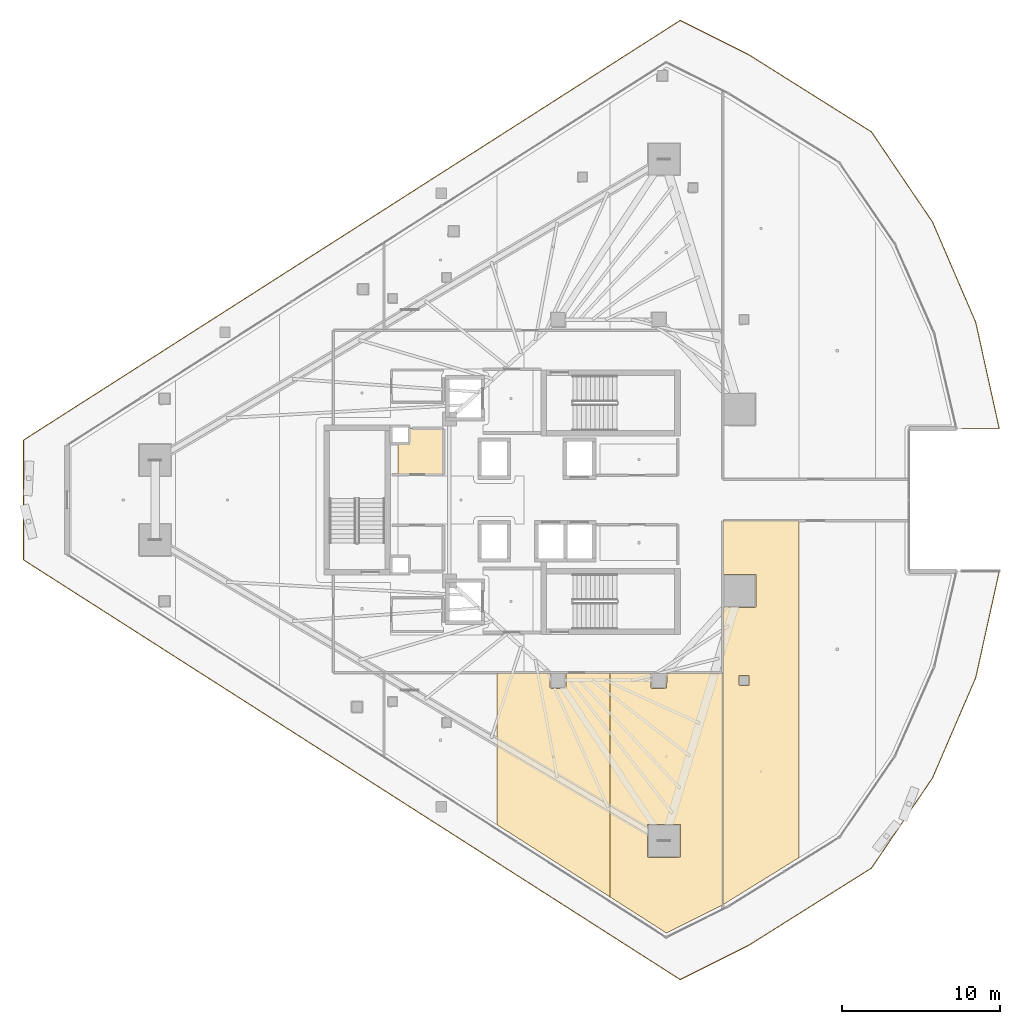
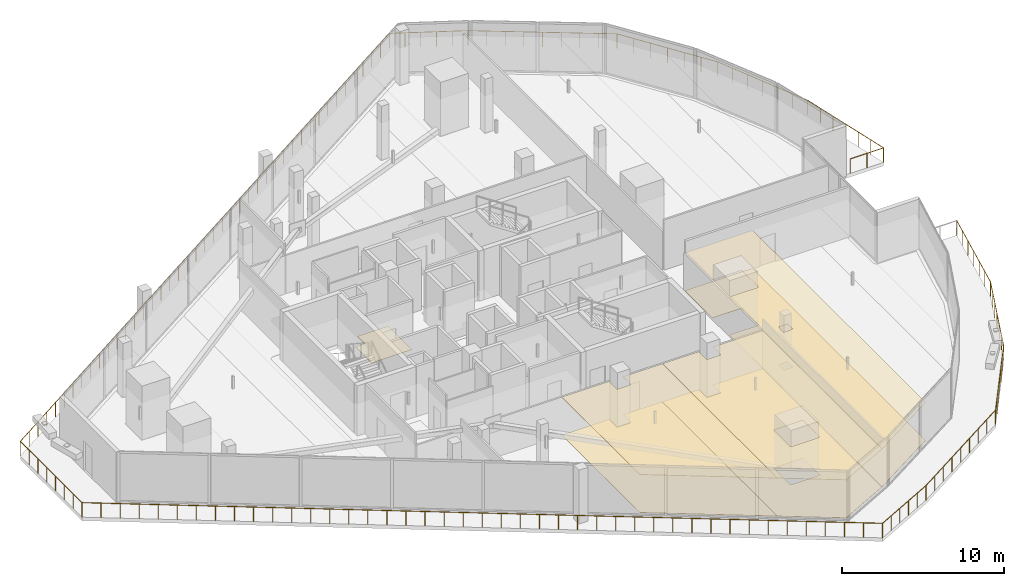
# One storey, part 35 of 39: 7 coverings, 1 railing.
"""IFC4 building model written with IfcOpenShell, lengths in metres."""

import ifcopenshell
import ifcopenshell.guid

model = None  # the IFC model being written
_history = None  # IfcOwnerHistory: only IFC2X3 demands one
_inside = {}  # id of a spatial element -> (the spatial element, [elements in it])
_under = {}  # id of a project, library or spatial element -> (it, [spatial elements below it])
_declared = {}  # id of a project -> (the project, [libraries it declares])
_typed = {}  # id of a type object -> (the type object, [elements of that type])
_made_of = {}  # id of a material, layer set ... -> (it, [elements and type objects made of it])


def new_model(schema):
    """Start an empty IFC model of exactly this schema.

    Asked for "IFC4X3", IfcOpenShell would pick the latest addendum, in which some entities
    have other attributes; the version numbers below select the first issue.
    IFC2X3 requires an IfcOwnerHistory on every rooted entity: one is made here for all.
    """
    global model, _history
    if schema == "IFC4X3":
        model = ifcopenshell.file(schema_version=(4, 3, 0, 0))
    else:
        model = ifcopenshell.file(schema=schema)
    _inside.clear()
    _under.clear()
    _declared.clear()
    _typed.clear()
    _made_of.clear()
    _history = None
    if model.schema == "IFC2X3":
        org = make("IfcOrganization", Name="unknown")
        user = make(
            "IfcPersonAndOrganization",
            ThePerson=make("IfcPerson", FamilyName="unknown"),
            TheOrganization=org,
        )
        app = make(
            "IfcApplication",
            ApplicationDeveloper=org,
            Version="unknown",
            ApplicationFullName="unknown",
            ApplicationIdentifier="unknown",
        )
        _history = make(
            "IfcOwnerHistory",
            OwningUser=user,
            OwningApplication=app,
            ChangeAction="ADDED",
            CreationDate=0,
        )
    return model


def make(cls, **values):
    """One entity of the class cls with the attributes given. An attribute that is None is left unset."""
    return model.create_entity(
        cls, **{name: value for name, value in values.items() if value is not None}
    )


def rooted(cls, **values):
    """An entity with a GlobalId (a new one), such as an element, a storey or a relation."""
    return make(cls, GlobalId=ifcopenshell.guid.new(), OwnerHistory=_history, **values)


def si_unit(unit_type, name, prefix=None):
    """IfcSIUnit, for example si_unit("LENGTHUNIT", "METRE", prefix="MILLI")."""
    return make("IfcSIUnit", UnitType=unit_type, Prefix=prefix, Name=name)


def assignment(units):
    """IfcUnitAssignment: the units of a project."""
    return None if units is None else make("IfcUnitAssignment", Units=units)


def point(xyz):
    """IfcCartesianPoint."""
    return None if xyz is None else make("IfcCartesianPoint", Coordinates=xyz)


def direction(xyz):
    """IfcDirection."""
    return None if xyz is None else make("IfcDirection", DirectionRatios=xyz)


def frame(location, z_axis=None, x_axis=None):
    """IfcAxis2Placement3D, a coordinate frame: its origin and axes. An axis left out is left unset."""
    return make(
        "IfcAxis2Placement3D",
        Location=point(location),
        Axis=direction(z_axis),
        RefDirection=direction(x_axis),
    )


def frame_2d(location, x_axis=None):
    """IfcAxis2Placement2D, a coordinate frame in the plane: its origin and x axis."""
    return make(
        "IfcAxis2Placement2D", Location=point(location), RefDirection=direction(x_axis)
    )


def origin():
    """The frame at (0, 0, 0) with its axes left unset."""
    return frame((0.0, 0.0, 0.0))


def origin_2d():
    """The frame at (0, 0) in the plane with its x axis left unset."""
    return frame_2d((0.0, 0.0))


def place(relative_to, where):
    """IfcLocalPlacement: puts the frame where relative to a parent placement (None: the world)."""
    return make(
        "IfcLocalPlacement", PlacementRelTo=relative_to, RelativePlacement=where
    )


def context(
    kind, dimensions, precision=None, world=None, true_north=None, identifier=None
):
    """IfcGeometricRepresentationContext, for example the 3D "Model" context."""
    return make(
        "IfcGeometricRepresentationContext",
        ContextIdentifier=identifier,
        ContextType=kind,
        CoordinateSpaceDimension=dimensions,
        Precision=precision,
        WorldCoordinateSystem=world,
        TrueNorth=true_north,
    )


def subcontext(parent, identifier, kind, view, scale=None):
    """IfcGeometricRepresentationSubContext, for example "Body" below "Model"."""
    return make(
        "IfcGeometricRepresentationSubContext",
        ContextIdentifier=identifier,
        ContextType=kind,
        ParentContext=parent,
        TargetScale=scale,
        TargetView=view,
    )


def project(units=None, contexts=None):
    """IfcProject with its units and contexts."""
    return rooted(
        "IfcProject",
        Name="project",
        RepresentationContexts=contexts,
        UnitsInContext=assignment(units),
    )


def spatial(cls, under=None, at=None, **own):
    """A site, building, storey or space (cls), placed at a placement, below another one or the project."""
    s = rooted(cls, ObjectPlacement=at, **own)
    if under is not None:
        _under.setdefault(under.id(), (under, []))[1].append(s)
    return s


def polyline(points):
    """IfcPolyline through the points."""
    return make("IfcPolyline", Points=[point(p) for p in points])


def profile(cls, at=None, kind="AREA", **sizes):
    """A parametric profile (cls). Its sizes go by their IFC names, for example OverallWidth=200.0."""
    return make(cls, ProfileType=kind, Position=at, **sizes)


def circle(**sizes):
    """IfcCircleProfileDef."""
    return profile("IfcCircleProfileDef", **sizes)


def outline(outer, holes=None, kind="AREA"):
    """IfcArbitraryClosedProfileDef: a profile drawn as a closed curve; with holes, ...WithVoids."""
    if holes is None:
        return make("IfcArbitraryClosedProfileDef", ProfileType=kind, OuterCurve=outer)
    return make(
        "IfcArbitraryProfileDefWithVoids",
        ProfileType=kind,
        OuterCurve=outer,
        InnerCurves=holes,
    )


def extrude(swept, where, along, depth):
    """IfcExtrudedAreaSolid: the profile swept, set in the frame where, extruded along a direction by depth."""
    return make(
        "IfcExtrudedAreaSolid",
        SweptArea=swept,
        Position=where,
        ExtrudedDirection=direction(along),
        Depth=depth,
    )


def shape(context_of_items, identifier, shape_type, items):
    """IfcShapeRepresentation: the items that make up one representation, for example the "Body"."""
    return make(
        "IfcShapeRepresentation",
        ContextOfItems=context_of_items,
        RepresentationIdentifier=identifier,
        RepresentationType=shape_type,
        Items=items,
    )


def material(Name=None, Category=None):
    """IfcMaterial."""
    return make("IfcMaterial", Name=Name, Category=Category)


def layer(
    of_material, thickness, ventilated=None, Name=None, Category=None, Priority=None
):
    """IfcMaterialLayer: one layer of a wall or slab, of a material (None: an air gap)."""
    return make(
        "IfcMaterialLayer",
        Material=of_material,
        LayerThickness=thickness,
        IsVentilated=ventilated,
        Name=Name,
        Category=Category,
        Priority=Priority,
    )


def layer_set(layers, Name=None):
    """IfcMaterialLayerSet."""
    return make("IfcMaterialLayerSet", MaterialLayers=layers, LayerSetName=Name)


def made_of(thing, what):
    """Note that an element or type object is made of a material, layer set ...; save() writes the relation."""
    if what is not None:
        _made_of.setdefault(what.id(), (what, []))[1].append(thing)
    return thing


def type_object(cls, material=None, **own):
    """A type object (cls), such as IfcWallType, which elements share."""
    return made_of(rooted(cls, **own), material)


def element(
    cls,
    number,
    at=None,
    inside=None,
    cuts=None,
    type_object=None,
    material=None,
    context=None,
    identifier="Body",
    shape_type=None,
    held_by="IfcProductDefinitionShape",
    body=None,
    shapes=None,
    **own,
):
    """One element of the class cls, such as IfcWall. Its Tag is "e" and its number.

    at: its placement. inside: the storey or other place that contains it. cuts: it is an
    opening in that element (IfcRelVoidsElement). A single representation is given by context,
    identifier, shape_type and body (its items); several are given by shapes. held_by: the class
    of the entity that holds the representations. save() writes the other relations.
    """
    e = rooted(cls, Tag="e%d" % number, ObjectPlacement=at, **own)
    if body is not None:
        shapes = [shape(context, identifier, shape_type, body)]
    if shapes is not None:
        e.Representation = make(held_by, Representations=shapes)
    if inside is not None:
        _inside.setdefault(inside.id(), (inside, []))[1].append(e)
    if cuts is not None:
        rooted(
            "IfcRelVoidsElement", RelatingBuildingElement=cuts, RelatedOpeningElement=e
        )
    if type_object is not None:
        _typed.setdefault(type_object.id(), (type_object, []))[1].append(e)
    return made_of(e, material)


def aggregate(whole, parts):
    """IfcRelAggregates: a whole, such as a stair, and the parts it consists of."""
    return rooted("IfcRelAggregates", RelatingObject=whole, RelatedObjects=parts)


def save(model, path):
    """Write the relations noted so far, then the file.

    IfcRelAggregates (storeys below a building ...), IfcRelContainedInSpatialStructure (elements
    in a storey), IfcRelDefinesByType, IfcRelAssociatesMaterial and IfcRelDeclares: one each for
    every whole, place, type object, material and project.
    """
    for whole, parts in _under.values():
        aggregate(whole, parts)
    for where, things in _inside.values():
        rooted(
            "IfcRelContainedInSpatialStructure",
            RelatedElements=things,
            RelatingStructure=where,
        )
    for kind, things in _typed.values():
        rooted("IfcRelDefinesByType", RelatedObjects=things, RelatingType=kind)
    for what, things in _made_of.values():
        rooted("IfcRelAssociatesMaterial", RelatedObjects=things, RelatingMaterial=what)
    for by, libraries in _declared.values():
        rooted("IfcRelDeclares", RelatingContext=by, RelatedDefinitions=libraries)
    model.write(path)


model = new_model("IFC4")

# Units and contexts
model_context = context("Model", 3, precision=1e-05, world=origin(), true_north=direction((0.0, 1.0)))
body_context = subcontext(model_context, "Body", "Model", "MODEL_VIEW")
ifc_project = project(units=[si_unit("LENGTHUNIT", "METRE"), si_unit("AREAUNIT", "SQUARE_METRE"), si_unit("VOLUMEUNIT", "CUBIC_METRE"), si_unit("PLANEANGLEUNIT", "RADIAN"), si_unit("MASSUNIT", "GRAM", prefix="KILO")], contexts=[model_context])

# Site, building, storey
site_placement = place(None, origin())
site = spatial("IfcSite", under=ifc_project, at=site_placement, CompositionType="ELEMENT")
building_placement = place(site_placement, origin())
building = spatial("IfcBuilding", under=site, at=building_placement, Name="Qorvath Tower", CompositionType="ELEMENT")
storey_placement = place(building_placement, frame((0.0, 0.0, 201.0)))
storey = spatial("IfcBuildingStorey", under=building, at=storey_placement, Name="L46", CompositionType="ELEMENT", Elevation=201.0)

# Coverings
ifc_material_1 = material(Name="Acoustic mineral fibre ceiling tile", Category="gypsum")
ifc_layer_1 = layer(ifc_material_1, 0.030029296875)
ifc_layer_set_1 = layer_set([ifc_layer_1], Name="COV-CEIL")
covering_type_1 = type_object("IfcCoveringType", Name="COV-CEIL", PredefinedType="CEILING", material=ifc_layer_set_1)
covering_1_placement = place(storey_placement, frame((0.0, 0.0, 2.85009765625)))
element("IfcCovering", 1, at=covering_1_placement, inside=storey, type_object=covering_type_1, Name="L46 Suspended Acoustic Ceiling 019", PredefinedType="CEILING", context=body_context, shape_type="SweptSolid", body=[
    extrude(outline(polyline([(-24.0947265625, -10.962890625), (-27.476318359375, -10.962890625), (-27.476318359375, -20.6083984375), (-20.315673828125, -25.18505859375), (-20.315673828125, -10.962890625), (-23.105224609375, -10.962890625), (-23.107666015625, -11.9423828125), (-24.050048828125, -11.9599609375), (-24.110107421875, -11.89990234375), (-24.0947265625, -10.962890625)])), origin(), (0.0, 0.0, 1.0), 0.030029296875),
])
covering_2_placement = place(storey_placement, frame((0.0, 0.0, 2.85009765625)))
element("IfcCovering", 2, at=covering_2_placement, inside=storey, type_object=covering_type_1, Name="L46 Suspended Acoustic Ceiling 020", PredefinedType="CEILING", context=body_context, shape_type="SweptSolid", body=[
    extrude(outline(polyline([(-20.315673828125, -10.962890625), (-20.315673828125, -25.18505859375), (-16.7275390625, -27.478271484375), (-13.155029296875, -25.69189453125), (-13.155029296875, -10.962890625), (-16.705322265625, -10.962890625), (-16.70751953125, -11.9423828125), (-17.64990234375, -11.9599609375), (-17.7099609375, -11.89990234375), (-17.694580078125, -10.962890625), (-20.315673828125, -10.962890625)]), holes=[polyline([(-17.931640625, -22.627197265625), (-17.9140625, -20.584716796875), (-15.829345703125, -20.584716796875), (-15.829345703125, -22.66943359375), (-17.87158203125, -22.68701171875), (-17.931640625, -22.627197265625)])]), origin(), (0.0, 0.0, 1.0), 0.030029296875),
])
covering_3_placement = place(storey_placement, frame((0.0, 0.0, 2.85009765625)))
element("IfcCovering", 3, at=covering_3_placement, inside=storey, type_object=covering_type_1, Name="L46 Suspended Acoustic Ceiling 024", PredefinedType="CEILING", context=body_context, shape_type="SweptSolid", body=[
    extrude(outline(polyline([(-8.3037109375, -22.687744140625), (-8.3037109375, -1.31298828125), (-13.136962890625, -1.31298828125), (-13.136962890625, -4.714599609375), (-11.054443359375, -4.715576171875), (-11.036865234375, -6.7578125), (-11.0966796875, -6.81787109375), (-13.136962890625, -6.80126953125), (-13.136962890625, -25.68212890625), (-8.3037109375, -22.687744140625)]), holes=[polyline([(-12.135009765625, -11.72509765625), (-12.117431640625, -11.132568359375), (-11.482666015625, -11.132568359375), (-11.482666015625, -11.767333984375), (-12.074951171875, -11.784912109375), (-12.135009765625, -11.72509765625)])]), origin(), (0.0, 0.0, 1.0), 0.030029296875),
])
ifc_material_2 = material(Name="Low-VOC modular carpet tile", Category="textile")
ifc_layer_2 = layer(ifc_material_2, 0.014892578125)
ifc_layer_set_2 = layer_set([ifc_layer_2], Name="COV-FLOOR-CPT")
covering_type_2 = type_object("IfcCoveringType", Name="COV-FLOOR-CPT", PredefinedType="FLOORING", material=ifc_layer_set_2)
covering_4_placement = place(storey_placement, origin())
element("IfcCovering", 4, at=covering_4_placement, inside=storey, type_object=covering_type_2, Name="L46 Floor Finish 006", PredefinedType="FLOORING", context=body_context, shape_type="SweptSolid", body=[
    extrude(outline(polyline([(-33.760009765625, 3.636962890625), (-33.760009765625, 1.60498046875), (-30.885009765625, 1.60498046875), (-30.885009765625, 4.534912109375), (-33.0869140625, 4.534912109375), (-33.092041015625, 3.636962890625), (-33.760009765625, 3.636962890625)])), origin(), (0.0, 0.0, 1.0), 0.014892578125),
])
covering_5_placement = place(storey_placement, origin())
element("IfcCovering", 5, at=covering_5_placement, inside=storey, type_object=covering_type_2, Name="L46 Floor Finish 019", PredefinedType="FLOORING", context=body_context, shape_type="SweptSolid", body=[
    extrude(outline(polyline([(-24.0947265625, -10.962890625), (-27.476318359375, -10.962890625), (-27.476318359375, -20.6083984375), (-20.315673828125, -25.18505859375), (-20.315673828125, -10.962890625), (-23.105224609375, -10.962890625), (-23.107666015625, -11.9423828125), (-24.050048828125, -11.9599609375), (-24.110107421875, -11.89990234375), (-24.0947265625, -10.962890625)])), origin(), (0.0, 0.0, 1.0), 0.014892578125),
])
covering_6_placement = place(storey_placement, origin())
element("IfcCovering", 6, at=covering_6_placement, inside=storey, type_object=covering_type_2, Name="L46 Floor Finish 020", PredefinedType="FLOORING", context=body_context, shape_type="SweptSolid", body=[
    extrude(outline(polyline([(-20.315673828125, -10.962890625), (-20.315673828125, -25.18505859375), (-16.7275390625, -27.478271484375), (-13.155029296875, -25.69189453125), (-13.155029296875, -10.962890625), (-16.705322265625, -10.962890625), (-16.70751953125, -11.9423828125), (-17.64990234375, -11.9599609375), (-17.7099609375, -11.89990234375), (-17.694580078125, -10.962890625), (-20.315673828125, -10.962890625)]), holes=[polyline([(-17.931640625, -22.627197265625), (-17.9140625, -20.584716796875), (-15.829345703125, -20.584716796875), (-15.829345703125, -22.66943359375), (-17.87158203125, -22.68701171875), (-17.931640625, -22.627197265625)])]), origin(), (0.0, 0.0, 1.0), 0.014892578125),
])
covering_7_placement = place(storey_placement, origin())
element("IfcCovering", 7, at=covering_7_placement, inside=storey, type_object=covering_type_2, Name="L46 Floor Finish 024", PredefinedType="FLOORING", context=body_context, shape_type="SweptSolid", body=[
    extrude(outline(polyline([(-8.3037109375, -22.687744140625), (-8.3037109375, -1.31298828125), (-13.136962890625, -1.31298828125), (-13.136962890625, -4.714599609375), (-11.054443359375, -4.715576171875), (-11.036865234375, -6.7578125), (-11.0966796875, -6.81787109375), (-13.136962890625, -6.80126953125), (-13.136962890625, -25.68212890625), (-8.3037109375, -22.687744140625)]), holes=[polyline([(-12.135009765625, -11.72509765625), (-12.117431640625, -11.132568359375), (-11.482666015625, -11.132568359375), (-11.482666015625, -11.767333984375), (-12.074951171875, -11.784912109375), (-12.135009765625, -11.72509765625)])]), origin(), (0.0, 0.0, 1.0), 0.014892578125),
])

# Railing
ifc_material_3 = material(Name="Laminated safety glass and stainless steel AISI 316", Category="steel")
railing_type = type_object("IfcRailingType", Name="RL-EXT-GRD", PredefinedType="GUARDRAIL", material=ifc_material_3)
railing_placement = place(storey_placement, frame((4.400390625, -4.519775390625, 0.0)))
element("IfcRailing", 8, at=railing_placement, inside=storey, type_object=railing_type, Name="Loggia Perimeter Guardrail L46-1.1", PredefinedType="GUARDRAIL", context=body_context, shape_type="SweptSolid", body=[
    extrude(circle(Radius=0.02392578125, at=origin_2d()), frame((0.0, 0.0, 1.09619140625), z_axis=(-0.216086299344, -0.976374268012, 0.0), x_axis=(0.976374268012, -0.216086299344, 0.0)), (0.0, 0.0, 1.0), 6.92138671875),
    extrude(circle(Radius=0.02392578125, at=origin_2d()), frame((-1.49560546875, -6.7578125, 1.09619140625), z_axis=(-0.395493893873, -0.918468605838, 0.0), x_axis=(0.918468605838, -0.395493893873, 0.0)), (0.0, 0.0, 1.0), 6.921142578125),
    extrude(circle(Radius=0.02392578125, at=origin_2d()), frame((-4.23291015625, -13.11474609375, 1.09619140625), z_axis=(-0.560814607135, -0.827941408811, 0.0), x_axis=(0.827941408811, -0.560814607135, 0.0)), (0.0, 0.0, 1.0), 6.92138671875),
    extrude(circle(Radius=0.02392578125, at=origin_2d()), frame((-8.114501953125, -18.84521484375, 1.09619140625), z_axis=(-0.846504714784, -0.53238122417, 0.0), x_axis=(0.53238122417, -0.846504714784, 0.0)), (0.0, 0.0, 1.0), 9.203857421875),
    extrude(circle(Radius=0.02392578125, at=origin_2d()), frame((-15.905517578125, -23.7451171875, 1.09619140625), z_axis=(-0.89441714735, -0.447233682236, 0.0), x_axis=(0.447233682236, -0.89441714735, 0.0)), (0.0, 0.0, 1.0), 4.86181640625),
    extrude(circle(Radius=0.02392578125, at=origin_2d()), frame((-20.25390625, -25.91943359375, 1.09619140625), z_axis=(-0.84260492013, 0.538532216839, 0.0), x_axis=(-0.538532216839, -0.84260492013, 0.0)), (0.0, 0.0, 1.0), 49.457275390625),
    extrude(circle(Radius=0.02392578125, at=origin_2d()), frame((-61.9267578125, 0.71484375, 1.09619140625), z_axis=(0.0, 1.0, 0.0), x_axis=(-1.0, 0.0, 0.0)), (0.0, 0.0, 1.0), 7.60986328125),
    extrude(circle(Radius=0.02392578125, at=origin_2d()), frame((-61.9267578125, 8.32470703125, 1.09619140625), z_axis=(0.84260492013, 0.538532216839, 0.0), x_axis=(-0.538532216839, 0.84260492013, 0.0)), (0.0, 0.0, 1.0), 49.457275390625),
    extrude(circle(Radius=0.02392578125, at=origin_2d()), frame((-20.25390625, 34.958984375, 1.09619140625), z_axis=(0.89441714735, -0.447233682236, 0.0), x_axis=(0.447233682236, 0.89441714735, 0.0)), (0.0, 0.0, 1.0), 4.86181640625),
    extrude(circle(Radius=0.02392578125, at=origin_2d()), frame((-15.905517578125, 32.78466796875, 1.09619140625), z_axis=(0.846504714784, -0.53238122417, 0.0), x_axis=(0.53238122417, 0.846504714784, 0.0)), (0.0, 0.0, 1.0), 9.203857421875),
    extrude(circle(Radius=0.02392578125, at=origin_2d()), frame((-8.114501953125, 27.884765625, 1.09619140625), z_axis=(0.560814607135, -0.827941408811, 0.0), x_axis=(0.827941408811, 0.560814607135, 0.0)), (0.0, 0.0, 1.0), 6.92138671875),
    extrude(circle(Radius=0.02392578125, at=origin_2d()), frame((-4.23291015625, 22.154296875, 1.09619140625), z_axis=(0.395493893873, -0.918468605838, 0.0), x_axis=(0.918468605838, 0.395493893873, 0.0)), (0.0, 0.0, 1.0), 6.921142578125),
    extrude(circle(Radius=0.02392578125, at=origin_2d()), frame((-1.49560546875, 15.79736328125, 1.09619140625), z_axis=(0.216086299344, -0.976374268012, 0.0), x_axis=(0.976374268012, 0.216086299344, 0.0)), (0.0, 0.0, 1.0), 6.92138671875),
    extrude(circle(Radius=0.02392578125, at=origin_2d()), frame((0.0, 9.03955078125, 1.09619140625), z_axis=(-1.0, 0.0, 0.0), x_axis=(0.0, -1.0, 0.0)), (0.0, 0.0, 1.0), 2.36669921875),
    extrude(circle(Radius=0.02099609375, at=origin_2d()), origin(), (0.0, 0.0, 1.0), 1.072021484375),
    extrude(circle(Radius=0.02099609375, at=origin_2d()), frame((-0.249267578125, -1.126220703125, 0.0)), (0.0, 0.0, 1.0), 1.072021484375),
    extrude(circle(Radius=0.02099609375, at=origin_2d()), frame((-0.49853515625, -2.252685546875, 0.0)), (0.0, 0.0, 1.0), 1.072021484375),
    extrude(circle(Radius=0.02099609375, at=origin_2d()), frame((-0.747802734375, -3.37890625, 0.0)), (0.0, 0.0, 1.0), 1.072021484375),
    extrude(circle(Radius=0.02099609375, at=origin_2d()), frame((-0.9970703125, -4.505126953125, 0.0)), (0.0, 0.0, 1.0), 1.072021484375),
    extrude(circle(Radius=0.02099609375, at=origin_2d()), frame((-1.246337890625, -5.631591796875, 0.0)), (0.0, 0.0, 1.0), 1.072021484375),
    extrude(circle(Radius=0.02099609375, at=origin_2d()), frame((-1.49560546875, -6.7578125, 0.0)), (0.0, 0.0, 1.0), 1.072021484375),
    extrude(circle(Radius=0.02099609375, at=origin_2d()), frame((-1.951904296875, -7.8173828125, 0.0)), (0.0, 0.0, 1.0), 1.072021484375),
    extrude(circle(Radius=0.02099609375, at=origin_2d()), frame((-2.407958984375, -8.876708984375, 0.0)), (0.0, 0.0, 1.0), 1.072021484375),
    extrude(circle(Radius=0.02099609375, at=origin_2d()), frame((-2.8642578125, -9.936279296875, 0.0)), (0.0, 0.0, 1.0), 1.072021484375),
    extrude(circle(Radius=0.02099609375, at=origin_2d()), frame((-3.320556640625, -10.995849609375, 0.0)), (0.0, 0.0, 1.0), 1.072021484375),
    extrude(circle(Radius=0.02099609375, at=origin_2d()), frame((-3.776611328125, -12.05517578125, 0.0)), (0.0, 0.0, 1.0), 1.072021484375),
    extrude(circle(Radius=0.02099609375, at=origin_2d()), frame((-4.23291015625, -13.11474609375, 0.0)), (0.0, 0.0, 1.0), 1.072021484375),
    extrude(circle(Radius=0.02099609375, at=origin_2d()), frame((-4.8798828125, -14.06982421875, 0.0)), (0.0, 0.0, 1.0), 1.072021484375),
    extrude(circle(Radius=0.02099609375, at=origin_2d()), frame((-5.52685546875, -15.02490234375, 0.0)), (0.0, 0.0, 1.0), 1.072021484375),
    extrude(circle(Radius=0.02099609375, at=origin_2d()), frame((-6.173828125, -15.97998046875, 0.0)), (0.0, 0.0, 1.0), 1.072021484375),
    extrude(circle(Radius=0.02099609375, at=origin_2d()), frame((-6.820556640625, -16.93505859375, 0.0)), (0.0, 0.0, 1.0), 1.072021484375),
    extrude(circle(Radius=0.02099609375, at=origin_2d()), frame((-7.467529296875, -17.89013671875, 0.0)), (0.0, 0.0, 1.0), 1.072021484375),
    extrude(circle(Radius=0.02099609375, at=origin_2d()), frame((-8.114501953125, -18.84521484375, 0.0)), (0.0, 0.0, 1.0), 1.072021484375),
    extrude(circle(Radius=0.02099609375, at=origin_2d()), frame((-9.08837890625, -19.457763671875, 0.0)), (0.0, 0.0, 1.0), 1.072021484375),
    extrude(circle(Radius=0.02099609375, at=origin_2d()), frame((-10.062255859375, -20.0703125, 0.0)), (0.0, 0.0, 1.0), 1.072021484375),
    extrude(circle(Radius=0.02099609375, at=origin_2d()), frame((-11.0361328125, -20.6826171875, 0.0)), (0.0, 0.0, 1.0), 1.072021484375),
    extrude(circle(Radius=0.02099609375, at=origin_2d()), frame((-12.010009765625, -21.295166015625, 0.0)), (0.0, 0.0, 1.0), 1.072021484375),
    extrude(circle(Radius=0.02099609375, at=origin_2d()), frame((-12.98388671875, -21.90771484375, 0.0)), (0.0, 0.0, 1.0), 1.072021484375),
    extrude(circle(Radius=0.02099609375, at=origin_2d()), frame((-13.957763671875, -22.52001953125, 0.0)), (0.0, 0.0, 1.0), 1.072021484375),
    extrude(circle(Radius=0.02099609375, at=origin_2d()), frame((-14.931640625, -23.132568359375, 0.0)), (0.0, 0.0, 1.0), 1.072021484375),
    extrude(circle(Radius=0.02099609375, at=origin_2d()), frame((-15.905517578125, -23.7451171875, 0.0)), (0.0, 0.0, 1.0), 1.072021484375),
    extrude(circle(Radius=0.02099609375, at=origin_2d()), frame((-16.775146484375, -24.179931640625, 0.0)), (0.0, 0.0, 1.0), 1.072021484375),
    extrude(circle(Radius=0.02099609375, at=origin_2d()), frame((-17.644775390625, -24.61474609375, 0.0)), (0.0, 0.0, 1.0), 1.072021484375),
    extrude(circle(Radius=0.02099609375, at=origin_2d()), frame((-18.5146484375, -25.0498046875, 0.0)), (0.0, 0.0, 1.0), 1.072021484375),
    extrude(circle(Radius=0.02099609375, at=origin_2d()), frame((-19.38427734375, -25.484619140625, 0.0)), (0.0, 0.0, 1.0), 1.072021484375),
    extrude(circle(Radius=0.02099609375, at=origin_2d()), frame((-20.25390625, -25.91943359375, 0.0)), (0.0, 0.0, 1.0), 1.072021484375),
    extrude(circle(Radius=0.02099609375, at=origin_2d()), frame((-21.24609375, -25.285400390625, 0.0)), (0.0, 0.0, 1.0), 1.072021484375),
    extrude(circle(Radius=0.02099609375, at=origin_2d()), frame((-22.23828125, -24.651123046875, 0.0)), (0.0, 0.0, 1.0), 1.072021484375),
    extrude(circle(Radius=0.02099609375, at=origin_2d()), frame((-23.23046875, -24.01708984375, 0.0)), (0.0, 0.0, 1.0), 1.072021484375),
    extrude(circle(Radius=0.02099609375, at=origin_2d()), frame((-24.22265625, -23.3828125, 0.0)), (0.0, 0.0, 1.0), 1.072021484375),
    extrude(circle(Radius=0.02099609375, at=origin_2d()), frame((-25.21484375, -22.748779296875, 0.0)), (0.0, 0.0, 1.0), 1.072021484375),
    extrude(circle(Radius=0.02099609375, at=origin_2d()), frame((-26.207275390625, -22.114501953125, 0.0)), (0.0, 0.0, 1.0), 1.072021484375),
    extrude(circle(Radius=0.02099609375, at=origin_2d()), frame((-27.199462890625, -21.48046875, 0.0)), (0.0, 0.0, 1.0), 1.072021484375),
    extrude(circle(Radius=0.02099609375, at=origin_2d()), frame((-28.191650390625, -20.84619140625, 0.0)), (0.0, 0.0, 1.0), 1.072021484375),
    extrude(circle(Radius=0.02099609375, at=origin_2d()), frame((-29.183837890625, -20.212158203125, 0.0)), (0.0, 0.0, 1.0), 1.072021484375),
    extrude(circle(Radius=0.02099609375, at=origin_2d()), frame((-30.176025390625, -19.577880859375, 0.0)), (0.0, 0.0, 1.0), 1.072021484375),
    extrude(circle(Radius=0.02099609375, at=origin_2d()), frame((-31.168212890625, -18.94384765625, 0.0)), (0.0, 0.0, 1.0), 1.072021484375),
    extrude(circle(Radius=0.02099609375, at=origin_2d()), frame((-32.160400390625, -18.3095703125, 0.0)), (0.0, 0.0, 1.0), 1.072021484375),
    extrude(circle(Radius=0.02099609375, at=origin_2d()), frame((-33.152587890625, -17.675537109375, 0.0)), (0.0, 0.0, 1.0), 1.072021484375),
    extrude(circle(Radius=0.02099609375, at=origin_2d()), frame((-34.144775390625, -17.041259765625, 0.0)), (0.0, 0.0, 1.0), 1.072021484375),
    extrude(circle(Radius=0.02099609375, at=origin_2d()), frame((-35.136962890625, -16.4072265625, 0.0)), (0.0, 0.0, 1.0), 1.072021484375),
    extrude(circle(Radius=0.02099609375, at=origin_2d()), frame((-36.12939453125, -15.77294921875, 0.0)), (0.0, 0.0, 1.0), 1.072021484375),
    extrude(circle(Radius=0.02099609375, at=origin_2d()), frame((-37.12158203125, -15.138916015625, 0.0)), (0.0, 0.0, 1.0), 1.072021484375),
    extrude(circle(Radius=0.02099609375, at=origin_2d()), frame((-38.11376953125, -14.504638671875, 0.0)), (0.0, 0.0, 1.0), 1.072021484375),
    extrude(circle(Radius=0.02099609375, at=origin_2d()), frame((-39.10595703125, -13.87060546875, 0.0)), (0.0, 0.0, 1.0), 1.072021484375),
    extrude(circle(Radius=0.02099609375, at=origin_2d()), frame((-40.09814453125, -13.236328125, 0.0)), (0.0, 0.0, 1.0), 1.072021484375),
    extrude(circle(Radius=0.02099609375, at=origin_2d()), frame((-41.09033203125, -12.602294921875, 0.0)), (0.0, 0.0, 1.0), 1.072021484375),
    extrude(circle(Radius=0.02099609375, at=origin_2d()), frame((-42.08251953125, -11.96826171875, 0.0)), (0.0, 0.0, 1.0), 1.072021484375),
    extrude(circle(Radius=0.02099609375, at=origin_2d()), frame((-43.07470703125, -11.333984375, 0.0)), (0.0, 0.0, 1.0), 1.072021484375),
    extrude(circle(Radius=0.02099609375, at=origin_2d()), frame((-44.06689453125, -10.699951171875, 0.0)), (0.0, 0.0, 1.0), 1.072021484375),
    extrude(circle(Radius=0.02099609375, at=origin_2d()), frame((-45.05908203125, -10.065673828125, 0.0)), (0.0, 0.0, 1.0), 1.072021484375),
    extrude(circle(Radius=0.02099609375, at=origin_2d()), frame((-46.05126953125, -9.431640625, 0.0)), (0.0, 0.0, 1.0), 1.072021484375),
    extrude(circle(Radius=0.02099609375, at=origin_2d()), frame((-47.043701171875, -8.79736328125, 0.0)), (0.0, 0.0, 1.0), 1.072021484375),
    extrude(circle(Radius=0.02099609375, at=origin_2d()), frame((-48.035888671875, -8.163330078125, 0.0)), (0.0, 0.0, 1.0), 1.072021484375),
    extrude(circle(Radius=0.02099609375, at=origin_2d()), frame((-49.028076171875, -7.529052734375, 0.0)), (0.0, 0.0, 1.0), 1.072021484375),
    extrude(circle(Radius=0.02099609375, at=origin_2d()), frame((-50.020263671875, -6.89501953125, 0.0)), (0.0, 0.0, 1.0), 1.072021484375),
    extrude(circle(Radius=0.02099609375, at=origin_2d()), frame((-51.012451171875, -6.2607421875, 0.0)), (0.0, 0.0, 1.0), 1.072021484375),
    extrude(circle(Radius=0.02099609375, at=origin_2d()), frame((-52.004638671875, -5.626708984375, 0.0)), (0.0, 0.0, 1.0), 1.072021484375),
    extrude(circle(Radius=0.02099609375, at=origin_2d()), frame((-52.996826171875, -4.992431640625, 0.0)), (0.0, 0.0, 1.0), 1.072021484375),
    extrude(circle(Radius=0.02099609375, at=origin_2d()), frame((-53.989013671875, -4.3583984375, 0.0)), (0.0, 0.0, 1.0), 1.072021484375),
    extrude(circle(Radius=0.02099609375, at=origin_2d()), frame((-54.981201171875, -3.72412109375, 0.0)), (0.0, 0.0, 1.0), 1.072021484375),
    extrude(circle(Radius=0.02099609375, at=origin_2d()), frame((-55.973388671875, -3.090087890625, 0.0)), (0.0, 0.0, 1.0), 1.072021484375),
    extrude(circle(Radius=0.02099609375, at=origin_2d()), frame((-56.9658203125, -2.455810546875, 0.0)), (0.0, 0.0, 1.0), 1.072021484375),
    extrude(circle(Radius=0.02099609375, at=origin_2d()), frame((-57.9580078125, -1.82177734375, 0.0)), (0.0, 0.0, 1.0), 1.072021484375),
    extrude(circle(Radius=0.02099609375, at=origin_2d()), frame((-58.9501953125, -1.1875, 0.0)), (0.0, 0.0, 1.0), 1.072021484375),
    extrude(circle(Radius=0.02099609375, at=origin_2d()), frame((-59.9423828125, -0.553466796875, 0.0)), (0.0, 0.0, 1.0), 1.072021484375),
    extrude(circle(Radius=0.02099609375, at=origin_2d()), frame((-60.9345703125, 0.080810546875, 0.0)), (0.0, 0.0, 1.0), 1.072021484375),
    extrude(circle(Radius=0.02099609375, at=origin_2d()), frame((-61.9267578125, 0.71484375, 0.0)), (0.0, 0.0, 1.0), 1.072021484375),
    extrude(circle(Radius=0.02099609375, at=origin_2d()), frame((-61.9267578125, 1.802001953125, 0.0)), (0.0, 0.0, 1.0), 1.072021484375),
    extrude(circle(Radius=0.02099609375, at=origin_2d()), frame((-61.9267578125, 2.88916015625, 0.0)), (0.0, 0.0, 1.0), 1.072021484375),
    extrude(circle(Radius=0.02099609375, at=origin_2d()), frame((-61.9267578125, 3.976318359375, 0.0)), (0.0, 0.0, 1.0), 1.072021484375),
    extrude(circle(Radius=0.02099609375, at=origin_2d()), frame((-61.9267578125, 5.063232421875, 0.0)), (0.0, 0.0, 1.0), 1.072021484375),
    extrude(circle(Radius=0.02099609375, at=origin_2d()), frame((-61.9267578125, 6.150390625, 0.0)), (0.0, 0.0, 1.0), 1.072021484375),
    extrude(circle(Radius=0.02099609375, at=origin_2d()), frame((-61.9267578125, 7.237548828125, 0.0)), (0.0, 0.0, 1.0), 1.072021484375),
    extrude(circle(Radius=0.02099609375, at=origin_2d()), frame((-61.9267578125, 8.32470703125, 0.0)), (0.0, 0.0, 1.0), 1.072021484375),
    extrude(circle(Radius=0.02099609375, at=origin_2d()), frame((-60.9345703125, 8.958740234375, 0.0)), (0.0, 0.0, 1.0), 1.072021484375),
    extrude(circle(Radius=0.02099609375, at=origin_2d()), frame((-59.9423828125, 9.593017578125, 0.0)), (0.0, 0.0, 1.0), 1.072021484375),
    extrude(circle(Radius=0.02099609375, at=origin_2d()), frame((-58.9501953125, 10.22705078125, 0.0)), (0.0, 0.0, 1.0), 1.072021484375),
    extrude(circle(Radius=0.02099609375, at=origin_2d()), frame((-57.9580078125, 10.861328125, 0.0)), (0.0, 0.0, 1.0), 1.072021484375),
    extrude(circle(Radius=0.02099609375, at=origin_2d()), frame((-56.9658203125, 11.495361328125, 0.0)), (0.0, 0.0, 1.0), 1.072021484375),
    extrude(circle(Radius=0.02099609375, at=origin_2d()), frame((-55.973388671875, 12.129638671875, 0.0)), (0.0, 0.0, 1.0), 1.072021484375),
    extrude(circle(Radius=0.02099609375, at=origin_2d()), frame((-54.981201171875, 12.763671875, 0.0)), (0.0, 0.0, 1.0), 1.072021484375),
    extrude(circle(Radius=0.02099609375, at=origin_2d()), frame((-53.989013671875, 13.39794921875, 0.0)), (0.0, 0.0, 1.0), 1.072021484375),
    extrude(circle(Radius=0.02099609375, at=origin_2d()), frame((-52.996826171875, 14.031982421875, 0.0)), (0.0, 0.0, 1.0), 1.072021484375),
    extrude(circle(Radius=0.02099609375, at=origin_2d()), frame((-52.004638671875, 14.666259765625, 0.0)), (0.0, 0.0, 1.0), 1.072021484375),
    extrude(circle(Radius=0.02099609375, at=origin_2d()), frame((-51.012451171875, 15.30029296875, 0.0)), (0.0, 0.0, 1.0), 1.072021484375),
    extrude(circle(Radius=0.02099609375, at=origin_2d()), frame((-50.020263671875, 15.9345703125, 0.0)), (0.0, 0.0, 1.0), 1.072021484375),
    extrude(circle(Radius=0.02099609375, at=origin_2d()), frame((-49.028076171875, 16.568603515625, 0.0)), (0.0, 0.0, 1.0), 1.072021484375),
    extrude(circle(Radius=0.02099609375, at=origin_2d()), frame((-48.035888671875, 17.202880859375, 0.0)), (0.0, 0.0, 1.0), 1.072021484375),
    extrude(circle(Radius=0.02099609375, at=origin_2d()), frame((-47.043701171875, 17.8369140625, 0.0)), (0.0, 0.0, 1.0), 1.072021484375),
    extrude(circle(Radius=0.02099609375, at=origin_2d()), frame((-46.05126953125, 18.47119140625, 0.0)), (0.0, 0.0, 1.0), 1.072021484375),
    extrude(circle(Radius=0.02099609375, at=origin_2d()), frame((-45.05908203125, 19.105224609375, 0.0)), (0.0, 0.0, 1.0), 1.072021484375),
    extrude(circle(Radius=0.02099609375, at=origin_2d()), frame((-44.06689453125, 19.739501953125, 0.0)), (0.0, 0.0, 1.0), 1.072021484375),
    extrude(circle(Radius=0.02099609375, at=origin_2d()), frame((-43.07470703125, 20.37353515625, 0.0)), (0.0, 0.0, 1.0), 1.072021484375),
    extrude(circle(Radius=0.02099609375, at=origin_2d()), frame((-42.08251953125, 21.0078125, 0.0)), (0.0, 0.0, 1.0), 1.072021484375),
    extrude(circle(Radius=0.02099609375, at=origin_2d()), frame((-41.09033203125, 21.641845703125, 0.0)), (0.0, 0.0, 1.0), 1.072021484375),
    extrude(circle(Radius=0.02099609375, at=origin_2d()), frame((-40.09814453125, 22.27587890625, 0.0)), (0.0, 0.0, 1.0), 1.072021484375),
    extrude(circle(Radius=0.02099609375, at=origin_2d()), frame((-39.10595703125, 22.91015625, 0.0)), (0.0, 0.0, 1.0), 1.072021484375),
    extrude(circle(Radius=0.02099609375, at=origin_2d()), frame((-38.11376953125, 23.544189453125, 0.0)), (0.0, 0.0, 1.0), 1.072021484375),
    extrude(circle(Radius=0.02099609375, at=origin_2d()), frame((-37.12158203125, 24.178466796875, 0.0)), (0.0, 0.0, 1.0), 1.072021484375),
    extrude(circle(Radius=0.02099609375, at=origin_2d()), frame((-36.12939453125, 24.8125, 0.0)), (0.0, 0.0, 1.0), 1.072021484375),
    extrude(circle(Radius=0.02099609375, at=origin_2d()), frame((-35.136962890625, 25.44677734375, 0.0)), (0.0, 0.0, 1.0), 1.072021484375),
    extrude(circle(Radius=0.02099609375, at=origin_2d()), frame((-34.144775390625, 26.080810546875, 0.0)), (0.0, 0.0, 1.0), 1.072021484375),
    extrude(circle(Radius=0.02099609375, at=origin_2d()), frame((-33.152587890625, 26.715087890625, 0.0)), (0.0, 0.0, 1.0), 1.072021484375),
    extrude(circle(Radius=0.02099609375, at=origin_2d()), frame((-32.160400390625, 27.34912109375, 0.0)), (0.0, 0.0, 1.0), 1.072021484375),
    extrude(circle(Radius=0.02099609375, at=origin_2d()), frame((-31.168212890625, 27.9833984375, 0.0)), (0.0, 0.0, 1.0), 1.072021484375),
    extrude(circle(Radius=0.02099609375, at=origin_2d()), frame((-30.176025390625, 28.617431640625, 0.0)), (0.0, 0.0, 1.0), 1.072021484375),
    extrude(circle(Radius=0.02099609375, at=origin_2d()), frame((-29.183837890625, 29.251708984375, 0.0)), (0.0, 0.0, 1.0), 1.072021484375),
    extrude(circle(Radius=0.02099609375, at=origin_2d()), frame((-28.191650390625, 29.8857421875, 0.0)), (0.0, 0.0, 1.0), 1.072021484375),
    extrude(circle(Radius=0.02099609375, at=origin_2d()), frame((-27.199462890625, 30.52001953125, 0.0)), (0.0, 0.0, 1.0), 1.072021484375),
    extrude(circle(Radius=0.02099609375, at=origin_2d()), frame((-26.207275390625, 31.154052734375, 0.0)), (0.0, 0.0, 1.0), 1.072021484375),
    extrude(circle(Radius=0.02099609375, at=origin_2d()), frame((-25.21484375, 31.788330078125, 0.0)), (0.0, 0.0, 1.0), 1.072021484375),
    extrude(circle(Radius=0.02099609375, at=origin_2d()), frame((-24.22265625, 32.42236328125, 0.0)), (0.0, 0.0, 1.0), 1.072021484375),
    extrude(circle(Radius=0.02099609375, at=origin_2d()), frame((-23.23046875, 33.056640625, 0.0)), (0.0, 0.0, 1.0), 1.072021484375),
    extrude(circle(Radius=0.02099609375, at=origin_2d()), frame((-22.23828125, 33.690673828125, 0.0)), (0.0, 0.0, 1.0), 1.072021484375),
    extrude(circle(Radius=0.02099609375, at=origin_2d()), frame((-21.24609375, 34.324951171875, 0.0)), (0.0, 0.0, 1.0), 1.072021484375),
    extrude(circle(Radius=0.02099609375, at=origin_2d()), frame((-20.25390625, 34.958984375, 0.0)), (0.0, 0.0, 1.0), 1.072021484375),
    extrude(circle(Radius=0.02099609375, at=origin_2d()), frame((-19.38427734375, 34.524169921875, 0.0)), (0.0, 0.0, 1.0), 1.072021484375),
    extrude(circle(Radius=0.02099609375, at=origin_2d()), frame((-18.5146484375, 34.08935546875, 0.0)), (0.0, 0.0, 1.0), 1.072021484375),
    extrude(circle(Radius=0.02099609375, at=origin_2d()), frame((-17.644775390625, 33.654296875, 0.0)), (0.0, 0.0, 1.0), 1.072021484375),
    extrude(circle(Radius=0.02099609375, at=origin_2d()), frame((-16.775146484375, 33.219482421875, 0.0)), (0.0, 0.0, 1.0), 1.072021484375),
    extrude(circle(Radius=0.02099609375, at=origin_2d()), frame((-15.905517578125, 32.78466796875, 0.0)), (0.0, 0.0, 1.0), 1.072021484375),
    extrude(circle(Radius=0.02099609375, at=origin_2d()), frame((-14.931640625, 32.172119140625, 0.0)), (0.0, 0.0, 1.0), 1.072021484375),
    extrude(circle(Radius=0.02099609375, at=origin_2d()), frame((-13.957763671875, 31.5595703125, 0.0)), (0.0, 0.0, 1.0), 1.072021484375),
    extrude(circle(Radius=0.02099609375, at=origin_2d()), frame((-12.98388671875, 30.947265625, 0.0)), (0.0, 0.0, 1.0), 1.072021484375),
    extrude(circle(Radius=0.02099609375, at=origin_2d()), frame((-12.010009765625, 30.334716796875, 0.0)), (0.0, 0.0, 1.0), 1.072021484375),
    extrude(circle(Radius=0.02099609375, at=origin_2d()), frame((-11.0361328125, 29.72216796875, 0.0)), (0.0, 0.0, 1.0), 1.072021484375),
    extrude(circle(Radius=0.02099609375, at=origin_2d()), frame((-10.062255859375, 29.10986328125, 0.0)), (0.0, 0.0, 1.0), 1.072021484375),
    extrude(circle(Radius=0.02099609375, at=origin_2d()), frame((-9.08837890625, 28.497314453125, 0.0)), (0.0, 0.0, 1.0), 1.072021484375),
    extrude(circle(Radius=0.02099609375, at=origin_2d()), frame((-8.114501953125, 27.884765625, 0.0)), (0.0, 0.0, 1.0), 1.072021484375),
    extrude(circle(Radius=0.02099609375, at=origin_2d()), frame((-7.467529296875, 26.9296875, 0.0)), (0.0, 0.0, 1.0), 1.072021484375),
    extrude(circle(Radius=0.02099609375, at=origin_2d()), frame((-6.820556640625, 25.974609375, 0.0)), (0.0, 0.0, 1.0), 1.072021484375),
    extrude(circle(Radius=0.02099609375, at=origin_2d()), frame((-6.173828125, 25.01953125, 0.0)), (0.0, 0.0, 1.0), 1.072021484375),
    extrude(circle(Radius=0.02099609375, at=origin_2d()), frame((-5.52685546875, 24.064453125, 0.0)), (0.0, 0.0, 1.0), 1.072021484375),
    extrude(circle(Radius=0.02099609375, at=origin_2d()), frame((-4.8798828125, 23.109375, 0.0)), (0.0, 0.0, 1.0), 1.072021484375),
    extrude(circle(Radius=0.02099609375, at=origin_2d()), frame((-4.23291015625, 22.154296875, 0.0)), (0.0, 0.0, 1.0), 1.072021484375),
    extrude(circle(Radius=0.02099609375, at=origin_2d()), frame((-3.776611328125, 21.0947265625, 0.0)), (0.0, 0.0, 1.0), 1.072021484375),
    extrude(circle(Radius=0.02099609375, at=origin_2d()), frame((-3.320556640625, 20.035400390625, 0.0)), (0.0, 0.0, 1.0), 1.072021484375),
    extrude(circle(Radius=0.02099609375, at=origin_2d()), frame((-2.8642578125, 18.975830078125, 0.0)), (0.0, 0.0, 1.0), 1.072021484375),
    extrude(circle(Radius=0.02099609375, at=origin_2d()), frame((-2.407958984375, 17.916259765625, 0.0)), (0.0, 0.0, 1.0), 1.072021484375),
    extrude(circle(Radius=0.02099609375, at=origin_2d()), frame((-1.951904296875, 16.85693359375, 0.0)), (0.0, 0.0, 1.0), 1.072021484375),
    extrude(circle(Radius=0.02099609375, at=origin_2d()), frame((-1.49560546875, 15.79736328125, 0.0)), (0.0, 0.0, 1.0), 1.072021484375),
    extrude(circle(Radius=0.02099609375, at=origin_2d()), frame((-1.246337890625, 14.671142578125, 0.0)), (0.0, 0.0, 1.0), 1.072021484375),
    extrude(circle(Radius=0.02099609375, at=origin_2d()), frame((-0.9970703125, 13.544677734375, 0.0)), (0.0, 0.0, 1.0), 1.072021484375),
    extrude(circle(Radius=0.02099609375, at=origin_2d()), frame((-0.747802734375, 12.41845703125, 0.0)), (0.0, 0.0, 1.0), 1.072021484375),
    extrude(circle(Radius=0.02099609375, at=origin_2d()), frame((-0.49853515625, 11.292236328125, 0.0)), (0.0, 0.0, 1.0), 1.072021484375),
    extrude(circle(Radius=0.02099609375, at=origin_2d()), frame((-0.249267578125, 10.165771484375, 0.0)), (0.0, 0.0, 1.0), 1.072021484375),
    extrude(circle(Radius=0.02099609375, at=origin_2d()), frame((0.0, 9.03955078125, 0.0)), (0.0, 0.0, 1.0), 1.072021484375),
    extrude(circle(Radius=0.02099609375, at=origin_2d()), frame((-1.183349609375, 9.03955078125, 0.0)), (0.0, 0.0, 1.0), 1.072021484375),
    extrude(circle(Radius=0.02099609375, at=origin_2d()), frame((-2.36669921875, 9.03955078125, 0.0)), (0.0, 0.0, 1.0), 1.072021484375),
])

save(model, "model.ifc")
